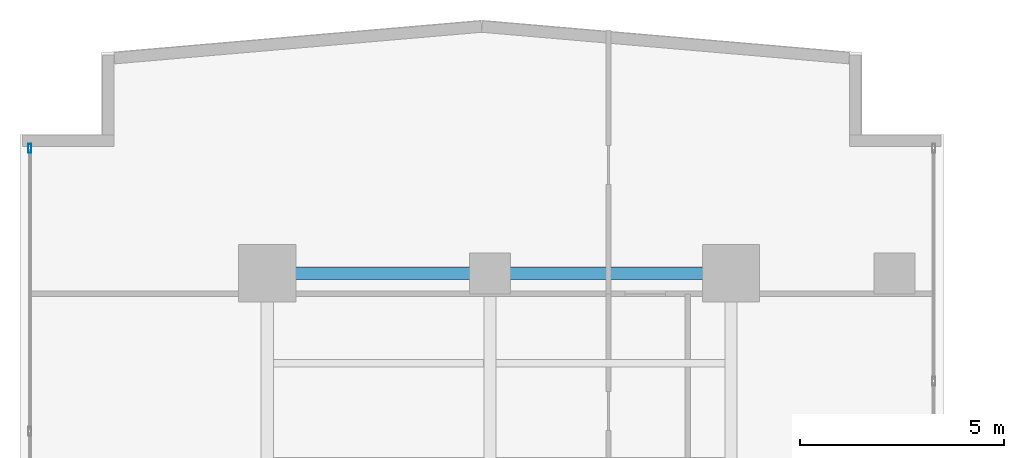
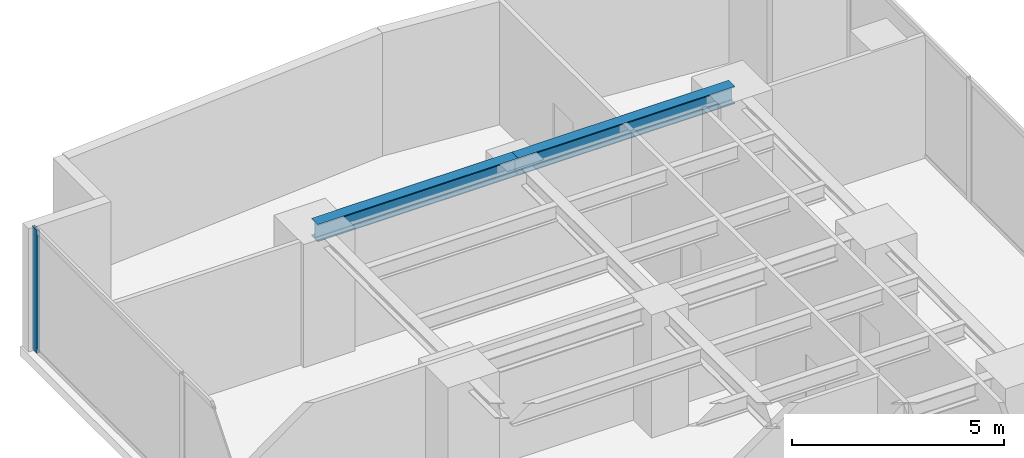
# One storey, part 18 of 26: 2 beams, 1 member, 1 element without a shape of its own.
"""IFC4 building model written with IfcOpenShell, lengths in metres."""

from ifc_helpers import new_model, si_unit, direction, frame, origin, origin_with_axes, origin_2d, place, context, subcontext, project, spatial, hollow_rectangle, i_section, extrude, source, transform, mapped, material, layer, layer_set, material_profile, profile_set, type_object, element, aggregate, save


model = new_model("IFC4")

# Units and contexts
model_context = context("Model", 3, precision=1e-05, world=origin(), true_north=direction((0.0, 1.0)))
body_context = subcontext(model_context, "Body", "Model", "MODEL_VIEW")
ifc_project = project(units=[si_unit("LENGTHUNIT", "METRE"), si_unit("AREAUNIT", "SQUARE_METRE"), si_unit("VOLUMEUNIT", "CUBIC_METRE"), si_unit("PLANEANGLEUNIT", "RADIAN"), si_unit("MASSUNIT", "GRAM", prefix="KILO")], contexts=[model_context])

# Site, building, storey
site_placement = place(None, origin())
site = spatial("IfcSite", under=ifc_project, at=site_placement, CompositionType="ELEMENT")
building_placement = place(site_placement, origin())
building = spatial("IfcBuilding", under=site, at=building_placement, Name="Kolvaren Waterfront Exchange", CompositionType="ELEMENT")
storey_placement = place(building_placement, frame((0.0, 0.0, 99.300048828125)))
storey = spatial("IfcBuildingStorey", under=building, at=storey_placement, Name="L25", CompositionType="ELEMENT", Elevation=99.300048828125)

# Beams
ifc_material_1 = material(Name="Steel S355", Category="steel")
ifc_material_profile_1 = material_profile(ifc_material_1, i_section(OverallWidth=0.300048828125, OverallDepth=0.5, WebThickness=0.014404296875, FlangeThickness=0.028076171875, FilletRadius=0.027099609375, at=origin_2d()), Name="HEB500")
ifc_profile_set_1 = profile_set([ifc_material_profile_1], Name="Steel S355")
beam_type = type_object("IfcBeamType", Name="STR-BM-HEB500", PredefinedType="BEAM", material=ifc_profile_set_1)
beam_1_placement = place(storey_placement, frame((7.449951171875, 44.60009765625, 3.2900390625), z_axis=(1.0, 0.0, 0.0), x_axis=(0.0, 1.0, 0.0)))
element("IfcBeam", 1, at=beam_1_placement, inside=storey, type_object=beam_type, Name="L25 north-arm girder 4A", PredefinedType="BEAM", context=body_context, shape_type="SweptSolid", body=[
    extrude(i_section(OverallWidth=0.300048828125, OverallDepth=0.5, WebThickness=0.014404296875, FlangeThickness=0.028076171875, FilletRadius=0.027099609375, at=origin_2d()), origin(), (0.0, 0.0, 1.0), 5.449951171875),
])
beam_2_placement = place(storey_placement, frame((12.89990234375, 44.60009765625, 3.2900390625), z_axis=(1.0, 0.0, 0.0), x_axis=(0.0, 1.0, 0.0)))
element("IfcBeam", 2, at=beam_2_placement, inside=storey, type_object=beam_type, Name="L25 north-arm girder 4B", PredefinedType="BEAM", context=body_context, shape_type="SweptSolid", body=[
    extrude(i_section(OverallWidth=0.300048828125, OverallDepth=0.5, WebThickness=0.014404296875, FlangeThickness=0.028076171875, FilletRadius=0.027099609375, at=origin_2d()), origin(), (0.0, 0.0, 1.0), 5.900146484375),
])

# Curtain wall, member
ifc_material_2 = material(Name="Anodised aluminium 6063-T6", Category="aluminium")
ifc_layer = layer(ifc_material_2, 0.219970703125, Name="Anodised aluminium 6063-T6")
ifc_layer_set = layer_set([ifc_layer], Name="Anodised aluminium 6063-T6")
curtain_wall_type = type_object("IfcCurtainWallType", Name="ARC-CW-SYS2", PredefinedType="USERDEFINED", material=ifc_layer_set)
curtain_wall_placement = place(storey_placement, origin())
curtain_wall = element("IfcCurtainWall", 3, at=curtain_wall_placement, inside=storey, type_object=curtain_wall_type, Name="L25 stick curtain wall CW2 (CW-L25-W)", ObjectType="STICK CURTAIN WALL", PredefinedType="USERDEFINED")
ifc_material_profile_2 = material_profile(ifc_material_2, hollow_rectangle(XDim=0.080078125, YDim=0.219970703125, WallThickness=0.0048828125, at=origin_2d()), Name="ALU-MUL-220x80x5")
ifc_profile_set_2 = profile_set([ifc_material_profile_2], Name="Anodised aluminium 6063-T6")
member_type = type_object("IfcMemberType", Name="ARC-CWM-220", PredefinedType="MULLION", material=ifc_profile_set_2)
shared_shape = source(origin_with_axes(), body_context, "Body", "SweptSolid", [
    extrude(hollow_rectangle(XDim=0.080078125, YDim=0.219970703125, WallThickness=0.0048828125, at=origin_2d()), origin(), (0.0, 0.0, 1.0), 3.5400390625),
])
member_placement = place(storey_placement, frame((1.639892578125, 47.659912109375, 0.0), z_axis=(0.0, 0.0, 1.0), x_axis=(-1.0, 0.0, 0.0)))
member = element("IfcMember", 4, at=member_placement, type_object=member_type, Name="CW2 mullion 7", PredefinedType="MULLION", context=body_context, shape_type="MappedRepresentation", body=[
    mapped(shared_shape, transform((0.0, 0.0, 0.0), x_axis=(1.0, 0.0, 0.0), y_axis=(0.0, 1.0, 0.0), z_axis=(0.0, 0.0, 1.0), scale=1.0)),
])
aggregate(curtain_wall, [member])

save(model, "model.ifc")
